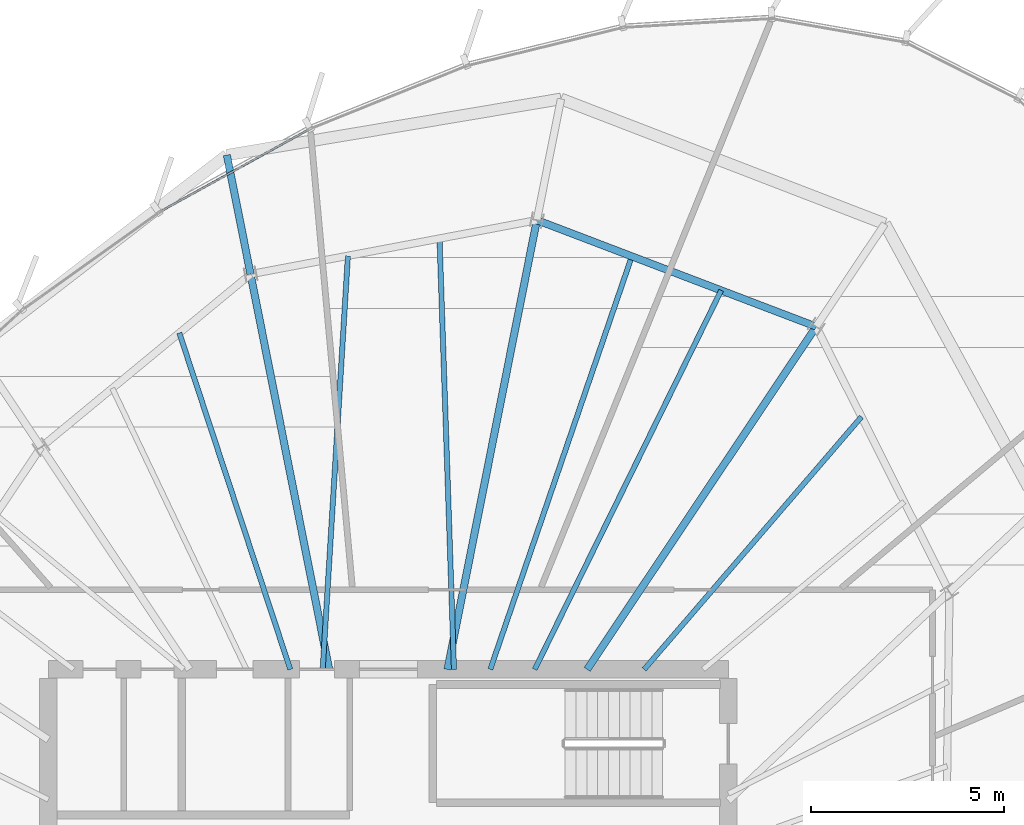
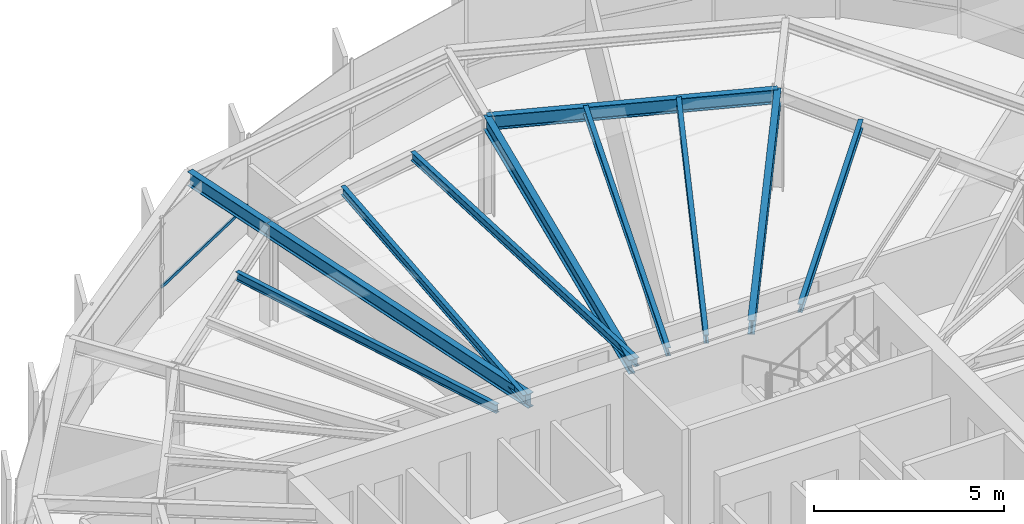
# One storey, part 20 of 32: 11 beams, 1 member, 1 element without a shape of its own.
"""IFC4 building model written with IfcOpenShell, lengths in metres."""

import ifcopenshell
import ifcopenshell.guid

model = None  # the IFC model being written
_history = None  # IfcOwnerHistory: only IFC2X3 demands one
_inside = {}  # id of a spatial element -> (the spatial element, [elements in it])
_under = {}  # id of a project, library or spatial element -> (it, [spatial elements below it])
_declared = {}  # id of a project -> (the project, [libraries it declares])
_typed = {}  # id of a type object -> (the type object, [elements of that type])
_made_of = {}  # id of a material, layer set ... -> (it, [elements and type objects made of it])


def new_model(schema):
    """Start an empty IFC model of exactly this schema.

    Asked for "IFC4X3", IfcOpenShell would pick the latest addendum, in which some entities
    have other attributes; the version numbers below select the first issue.
    IFC2X3 requires an IfcOwnerHistory on every rooted entity: one is made here for all.
    """
    global model, _history
    if schema == "IFC4X3":
        model = ifcopenshell.file(schema_version=(4, 3, 0, 0))
    else:
        model = ifcopenshell.file(schema=schema)
    _inside.clear()
    _under.clear()
    _declared.clear()
    _typed.clear()
    _made_of.clear()
    _history = None
    if model.schema == "IFC2X3":
        org = make("IfcOrganization", Name="unknown")
        user = make(
            "IfcPersonAndOrganization",
            ThePerson=make("IfcPerson", FamilyName="unknown"),
            TheOrganization=org,
        )
        app = make(
            "IfcApplication",
            ApplicationDeveloper=org,
            Version="unknown",
            ApplicationFullName="unknown",
            ApplicationIdentifier="unknown",
        )
        _history = make(
            "IfcOwnerHistory",
            OwningUser=user,
            OwningApplication=app,
            ChangeAction="ADDED",
            CreationDate=0,
        )
    return model


def make(cls, **values):
    """One entity of the class cls with the attributes given. An attribute that is None is left unset."""
    return model.create_entity(
        cls, **{name: value for name, value in values.items() if value is not None}
    )


def rooted(cls, **values):
    """An entity with a GlobalId (a new one), such as an element, a storey or a relation."""
    return make(cls, GlobalId=ifcopenshell.guid.new(), OwnerHistory=_history, **values)


def si_unit(unit_type, name, prefix=None):
    """IfcSIUnit, for example si_unit("LENGTHUNIT", "METRE", prefix="MILLI")."""
    return make("IfcSIUnit", UnitType=unit_type, Prefix=prefix, Name=name)


def assignment(units):
    """IfcUnitAssignment: the units of a project."""
    return None if units is None else make("IfcUnitAssignment", Units=units)


def point(xyz):
    """IfcCartesianPoint."""
    return None if xyz is None else make("IfcCartesianPoint", Coordinates=xyz)


def direction(xyz):
    """IfcDirection."""
    return None if xyz is None else make("IfcDirection", DirectionRatios=xyz)


def frame(location, z_axis=None, x_axis=None):
    """IfcAxis2Placement3D, a coordinate frame: its origin and axes. An axis left out is left unset."""
    return make(
        "IfcAxis2Placement3D",
        Location=point(location),
        Axis=direction(z_axis),
        RefDirection=direction(x_axis),
    )


def frame_2d(location, x_axis=None):
    """IfcAxis2Placement2D, a coordinate frame in the plane: its origin and x axis."""
    return make(
        "IfcAxis2Placement2D", Location=point(location), RefDirection=direction(x_axis)
    )


def origin():
    """The frame at (0, 0, 0) with its axes left unset."""
    return frame((0.0, 0.0, 0.0))


def origin_2d():
    """The frame at (0, 0) in the plane with its x axis left unset."""
    return frame_2d((0.0, 0.0))


def place(relative_to, where):
    """IfcLocalPlacement: puts the frame where relative to a parent placement (None: the world)."""
    return make(
        "IfcLocalPlacement", PlacementRelTo=relative_to, RelativePlacement=where
    )


def context(
    kind, dimensions, precision=None, world=None, true_north=None, identifier=None
):
    """IfcGeometricRepresentationContext, for example the 3D "Model" context."""
    return make(
        "IfcGeometricRepresentationContext",
        ContextIdentifier=identifier,
        ContextType=kind,
        CoordinateSpaceDimension=dimensions,
        Precision=precision,
        WorldCoordinateSystem=world,
        TrueNorth=true_north,
    )


def subcontext(parent, identifier, kind, view, scale=None):
    """IfcGeometricRepresentationSubContext, for example "Body" below "Model"."""
    return make(
        "IfcGeometricRepresentationSubContext",
        ContextIdentifier=identifier,
        ContextType=kind,
        ParentContext=parent,
        TargetScale=scale,
        TargetView=view,
    )


def project(units=None, contexts=None):
    """IfcProject with its units and contexts."""
    return rooted(
        "IfcProject",
        Name="project",
        RepresentationContexts=contexts,
        UnitsInContext=assignment(units),
    )


def spatial(cls, under=None, at=None, **own):
    """A site, building, storey or space (cls), placed at a placement, below another one or the project."""
    s = rooted(cls, ObjectPlacement=at, **own)
    if under is not None:
        _under.setdefault(under.id(), (under, []))[1].append(s)
    return s


def profile(cls, at=None, kind="AREA", **sizes):
    """A parametric profile (cls). Its sizes go by their IFC names, for example OverallWidth=200.0."""
    return make(cls, ProfileType=kind, Position=at, **sizes)


def hollow_rectangle(**sizes):
    """IfcRectangleHollowProfileDef."""
    return profile("IfcRectangleHollowProfileDef", **sizes)


def i_section(**sizes):
    """IfcIShapeProfileDef."""
    return profile("IfcIShapeProfileDef", **sizes)


def extrude(swept, where, along, depth):
    """IfcExtrudedAreaSolid: the profile swept, set in the frame where, extruded along a direction by depth."""
    return make(
        "IfcExtrudedAreaSolid",
        SweptArea=swept,
        Position=where,
        ExtrudedDirection=direction(along),
        Depth=depth,
    )


def shape(context_of_items, identifier, shape_type, items):
    """IfcShapeRepresentation: the items that make up one representation, for example the "Body"."""
    return make(
        "IfcShapeRepresentation",
        ContextOfItems=context_of_items,
        RepresentationIdentifier=identifier,
        RepresentationType=shape_type,
        Items=items,
    )


def source(mapping_origin, context_of_items, identifier, shape_type, items):
    """IfcRepresentationMap: a shape defined once, which mapped items show again and again."""
    return make(
        "IfcRepresentationMap",
        MappingOrigin=mapping_origin,
        MappedRepresentation=shape(context_of_items, identifier, shape_type, items),
    )


def transform(
    local_origin,
    x_axis=None,
    y_axis=None,
    z_axis=None,
    scale=None,
    scale2=None,
    scale3=None,
    uniform=True,
):
    """IfcCartesianTransformationOperator3D, or its non-uniform kind. x_axis, y_axis, z_axis: its Axis1, 2, 3."""
    if uniform:
        return make(
            "IfcCartesianTransformationOperator3D",
            Axis1=direction(x_axis),
            Axis2=direction(y_axis),
            LocalOrigin=point(local_origin),
            Scale=scale,
            Axis3=direction(z_axis),
        )
    return make(
        "IfcCartesianTransformationOperator3DnonUniform",
        Axis1=direction(x_axis),
        Axis2=direction(y_axis),
        LocalOrigin=point(local_origin),
        Scale=scale,
        Axis3=direction(z_axis),
        Scale2=scale2,
        Scale3=scale3,
    )


def mapped(mapping_source, mapping_target):
    """IfcMappedItem: shows the shape of a source again, moved by a transform."""
    return make(
        "IfcMappedItem", MappingSource=mapping_source, MappingTarget=mapping_target
    )


def material(Name=None, Category=None):
    """IfcMaterial."""
    return make("IfcMaterial", Name=Name, Category=Category)


def layer(
    of_material, thickness, ventilated=None, Name=None, Category=None, Priority=None
):
    """IfcMaterialLayer: one layer of a wall or slab, of a material (None: an air gap)."""
    return make(
        "IfcMaterialLayer",
        Material=of_material,
        LayerThickness=thickness,
        IsVentilated=ventilated,
        Name=Name,
        Category=Category,
        Priority=Priority,
    )


def layer_set(layers, Name=None):
    """IfcMaterialLayerSet."""
    return make("IfcMaterialLayerSet", MaterialLayers=layers, LayerSetName=Name)


def material_profile(
    of_material, cross_section, Name=None, Category=None, Priority=None
):
    """IfcMaterialProfile: a cross section and its material."""
    return make(
        "IfcMaterialProfile",
        Name=Name,
        Material=of_material,
        Profile=cross_section,
        Priority=Priority,
        Category=Category,
    )


def profile_set(profiles, Name=None, composite=None):
    """IfcMaterialProfileSet."""
    return make(
        "IfcMaterialProfileSet",
        Name=Name,
        MaterialProfiles=profiles,
        CompositeProfile=composite,
    )


def made_of(thing, what):
    """Note that an element or type object is made of a material, layer set ...; save() writes the relation."""
    if what is not None:
        _made_of.setdefault(what.id(), (what, []))[1].append(thing)
    return thing


def type_object(cls, material=None, **own):
    """A type object (cls), such as IfcWallType, which elements share."""
    return made_of(rooted(cls, **own), material)


def element(
    cls,
    number,
    at=None,
    inside=None,
    cuts=None,
    type_object=None,
    material=None,
    context=None,
    identifier="Body",
    shape_type=None,
    held_by="IfcProductDefinitionShape",
    body=None,
    shapes=None,
    **own,
):
    """One element of the class cls, such as IfcWall. Its Tag is "e" and its number.

    at: its placement. inside: the storey or other place that contains it. cuts: it is an
    opening in that element (IfcRelVoidsElement). A single representation is given by context,
    identifier, shape_type and body (its items); several are given by shapes. held_by: the class
    of the entity that holds the representations. save() writes the other relations.
    """
    e = rooted(cls, Tag="e%d" % number, ObjectPlacement=at, **own)
    if body is not None:
        shapes = [shape(context, identifier, shape_type, body)]
    if shapes is not None:
        e.Representation = make(held_by, Representations=shapes)
    if inside is not None:
        _inside.setdefault(inside.id(), (inside, []))[1].append(e)
    if cuts is not None:
        rooted(
            "IfcRelVoidsElement", RelatingBuildingElement=cuts, RelatedOpeningElement=e
        )
    if type_object is not None:
        _typed.setdefault(type_object.id(), (type_object, []))[1].append(e)
    return made_of(e, material)


def aggregate(whole, parts):
    """IfcRelAggregates: a whole, such as a stair, and the parts it consists of."""
    return rooted("IfcRelAggregates", RelatingObject=whole, RelatedObjects=parts)


def save(model, path):
    """Write the relations noted so far, then the file.

    IfcRelAggregates (storeys below a building ...), IfcRelContainedInSpatialStructure (elements
    in a storey), IfcRelDefinesByType, IfcRelAssociatesMaterial and IfcRelDeclares: one each for
    every whole, place, type object, material and project.
    """
    for whole, parts in _under.values():
        aggregate(whole, parts)
    for where, things in _inside.values():
        rooted(
            "IfcRelContainedInSpatialStructure",
            RelatedElements=things,
            RelatingStructure=where,
        )
    for kind, things in _typed.values():
        rooted("IfcRelDefinesByType", RelatedObjects=things, RelatingType=kind)
    for what, things in _made_of.values():
        rooted("IfcRelAssociatesMaterial", RelatedObjects=things, RelatingMaterial=what)
    for by, libraries in _declared.values():
        rooted("IfcRelDeclares", RelatingContext=by, RelatedDefinitions=libraries)
    model.write(path)


model = new_model("IFC4")

# Units and contexts
model_context = context("Model", 3, precision=1e-05, world=origin(), true_north=direction((0.0, 1.0)))
body_context = subcontext(model_context, "Body", "Model", "MODEL_VIEW")
ifc_project = project(units=[si_unit("LENGTHUNIT", "METRE"), si_unit("AREAUNIT", "SQUARE_METRE"), si_unit("VOLUMEUNIT", "CUBIC_METRE"), si_unit("PLANEANGLEUNIT", "RADIAN"), si_unit("MASSUNIT", "GRAM", prefix="KILO"), si_unit("THERMODYNAMICTEMPERATUREUNIT", "KELVIN")], contexts=[model_context])

# Site, building, storey
site_placement = place(None, origin())
site = spatial("IfcSite", under=ifc_project, at=site_placement, CompositionType="ELEMENT")
building_placement = place(site_placement, origin())
building = spatial("IfcBuilding", under=site, at=building_placement, Name="Kethvar Cultural Tower", CompositionType="ELEMENT")
storey_placement = place(building_placement, frame((0.0, 0.0, 252.550048828125)))
storey = spatial("IfcBuildingStorey", under=building, at=storey_placement, Name="L66", CompositionType="ELEMENT", Elevation=252.550048828125)

# Beams
ifc_material_1 = material(Name="Steel S355J2", Category="steel")
ifc_material_profile_1 = material_profile(ifc_material_1, i_section(OverallWidth=0.18994140625, OverallDepth=0.449951171875, WebThickness=0.009521484375, FlangeThickness=0.0146484375, FilletRadius=0.02099609375, at=origin_2d()), Name="Steel S355J2 — IPE450")
ifc_profile_set_1 = profile_set([ifc_material_profile_1], Name="Steel S355J2 — IPE450")
beam_type_1 = type_object("IfcBeamType", Name="BM-IPE450", PredefinedType="BEAM", material=ifc_profile_set_1)
shared_shape_1 = source(origin(), body_context, "Body", "SweptSolid", [
    extrude(i_section(OverallWidth=0.18994140625, OverallDepth=0.449951171875, WebThickness=0.009521484375, FlangeThickness=0.0146484375, FilletRadius=0.02099609375, at=origin_2d()), origin(), (0.0, 0.0, 1.0), 10.673828125),
])
beam_1_placement = place(storey_placement, frame((51.945068359375, 35.5, 2.98291015625), z_axis=(0.555576086183, 0.831465701314, 0.0), x_axis=(-0.831465701314, 0.555576086183, 0.0)))
element("IfcBeam", 1, at=beam_1_placement, inside=storey, type_object=beam_type_1, Name="L66 Primary Radial Beam RB-03", PredefinedType="BEAM", context=body_context, shape_type="MappedRepresentation", body=[
    mapped(shared_shape_1, transform((0.0, 0.0, 0.0), scale=1.0)),
])
shared_shape_2 = source(origin(), body_context, "Body", "SweptSolid", [
    extrude(i_section(OverallWidth=0.18994140625, OverallDepth=0.449951171875, WebThickness=0.009521484375, FlangeThickness=0.0146484375, FilletRadius=0.02099609375, at=origin_2d()), origin(), (0.0, 0.0, 1.0), 11.859375),
])
beam_2_placement = place(storey_placement, frame((48.33154296875, 35.5, 2.98291015625), z_axis=(0.195094640585, 0.980784421377, 0.0), x_axis=(-0.980784421377, 0.195094640585, 0.0)))
element("IfcBeam", 2, at=beam_2_placement, inside=storey, type_object=beam_type_1, Name="L66 Primary Radial Beam RB-04", PredefinedType="BEAM", context=body_context, shape_type="MappedRepresentation", body=[
    mapped(shared_shape_2, transform((0.0, 0.0, 0.0), scale=1.0)),
])
shared_shape_3 = source(origin(), body_context, "Body", "SweptSolid", [
    extrude(i_section(OverallWidth=0.18994140625, OverallDepth=0.449951171875, WebThickness=0.009521484375, FlangeThickness=0.0146484375, FilletRadius=0.02099609375, at=origin_2d()), origin(), (0.0, 0.0, 1.0), 10.432861328125),
])
beam_3_placement = place(storey_placement, frame((45.268310546875, 35.5, 2.98291015625), z_axis=(-0.195094483249, 0.980784452673, 0.0), x_axis=(-0.980784452673, -0.195094483249, 0.0)))
element("IfcBeam", 3, at=beam_3_placement, inside=storey, type_object=beam_type_1, Name="L66 Primary Radial Beam RB-05", PredefinedType="BEAM", context=body_context, shape_type="MappedRepresentation", body=[
    mapped(shared_shape_3, transform((0.0, 0.0, 0.0), scale=1.0)),
])
ifc_material_profile_2 = material_profile(ifc_material_1, i_section(OverallWidth=0.135009765625, OverallDepth=0.27001953125, WebThickness=0.006591796875, FlangeThickness=0.01025390625, FilletRadius=0.014892578125, at=origin_2d()), Name="Steel S355J2 — IPE270")
ifc_profile_set_2 = profile_set([ifc_material_profile_2], Name="Steel S355J2 — IPE270")
beam_type_2 = type_object("IfcBeamType", Name="BM-J270", PredefinedType="JOIST", material=ifc_profile_set_2)
shared_shape_4 = source(origin(), body_context, "Body", "SweptSolid", [
    extrude(i_section(OverallWidth=0.135009765625, OverallDepth=0.27001953125, WebThickness=0.006591796875, FlangeThickness=0.01025390625, FilletRadius=0.014892578125, at=origin_2d()), origin(), (0.0, 0.0, 1.0), 8.6259765625),
])
beam_4_placement = place(storey_placement, frame((53.42333984375, 35.5, 3.072998046875), z_axis=(0.65210499689, 0.758128665222, 0.0), x_axis=(-0.758128665222, 0.65210499689, 0.0)))
element("IfcBeam", 4, at=beam_4_placement, inside=storey, type_object=beam_type_2, Name="L66 Composite Floor Joist J-02B", PredefinedType="JOIST", context=body_context, shape_type="MappedRepresentation", body=[
    mapped(shared_shape_4, transform((0.0, 0.0, 0.0), scale=1.0)),
])
shared_shape_5 = source(origin(), body_context, "Body", "SweptSolid", [
    extrude(i_section(OverallWidth=0.18994140625, OverallDepth=0.449951171875, WebThickness=0.009521484375, FlangeThickness=0.0146484375, FilletRadius=0.02099609375, at=origin_2d()), origin(), (0.0, 0.0, 1.0), 7.737548828125),
])
beam_5_placement = place(storey_placement, frame((57.875244140625, 44.375, 2.98291015625), z_axis=(-0.934388230776, 0.356256416347, 0.0), x_axis=(-0.356256416347, -0.934388230776, 0.0)))
element("IfcBeam", 5, at=beam_5_placement, inside=storey, type_object=beam_type_1, Name="L66 Column Ring Tie Beam CR-03", PredefinedType="BEAM", context=body_context, shape_type="MappedRepresentation", body=[
    mapped(shared_shape_5, transform((0.0, 0.0, 0.0), scale=1.0)),
])
shared_shape_6 = source(origin(), body_context, "Body", "SweptSolid", [
    extrude(i_section(OverallWidth=0.135009765625, OverallDepth=0.27001953125, WebThickness=0.006591796875, FlangeThickness=0.01025390625, FilletRadius=0.014892578125, at=origin_2d()), origin(), (0.0, 0.0, 1.0), 10.935791015625),
])
beam_6_placement = place(storey_placement, frame((50.5888671875, 35.5, 3.072998046875), z_axis=(0.441498236677, 0.897262117227, 0.0), x_axis=(-0.897262117227, 0.441498236677, 0.0)))
element("IfcBeam", 6, at=beam_6_placement, inside=storey, type_object=beam_type_2, Name="L66 Composite Floor Joist J-03A", PredefinedType="JOIST", context=body_context, shape_type="MappedRepresentation", body=[
    mapped(shared_shape_6, transform((0.0, 0.0, 0.0), scale=1.0)),
])
shared_shape_7 = source(origin(), body_context, "Body", "SweptSolid", [
    extrude(i_section(OverallWidth=0.135009765625, OverallDepth=0.27001953125, WebThickness=0.006591796875, FlangeThickness=0.01025390625, FilletRadius=0.014892578125, at=origin_2d()), origin(), (0.0, 0.0, 1.0), 11.304931640625),
])
beam_7_placement = place(storey_placement, frame((49.438720703125, 35.5, 3.072998046875), z_axis=(0.324179110764, 0.945995720997, 0.0), x_axis=(-0.945995720997, 0.324179110764, 0.0)))
element("IfcBeam", 7, at=beam_7_placement, inside=storey, type_object=beam_type_2, Name="L66 Composite Floor Joist J-03B", PredefinedType="JOIST", context=body_context, shape_type="MappedRepresentation", body=[
    mapped(shared_shape_7, transform((0.0, 0.0, 0.0), scale=1.0)),
])
shared_shape_8 = source(origin(), body_context, "Body", "SweptSolid", [
    extrude(i_section(OverallWidth=0.135009765625, OverallDepth=0.27001953125, WebThickness=0.006591796875, FlangeThickness=0.01025390625, FilletRadius=0.014892578125, at=origin_2d()), origin(), (0.0, 0.0, 1.0), 11.162109375),
])
beam_8_placement = place(storey_placement, frame((48.5, 35.5, 3.072998046875), z_axis=(-0.0335959409, 0.999435497046, 0.0), x_axis=(-0.999435497046, -0.0335959409, 0.0)))
element("IfcBeam", 8, at=beam_8_placement, inside=storey, type_object=beam_type_2, Name="L66 Composite Floor Joist J-04A", PredefinedType="JOIST", context=body_context, shape_type="MappedRepresentation", body=[
    mapped(shared_shape_8, transform((0.0, 0.0, 0.0), scale=1.0)),
])
shared_shape_9 = source(origin(), body_context, "Body", "SweptSolid", [
    extrude(i_section(OverallWidth=0.135009765625, OverallDepth=0.27001953125, WebThickness=0.006591796875, FlangeThickness=0.01025390625, FilletRadius=0.014892578125, at=origin_2d()), origin(), (0.0, 0.0, 1.0), 10.727783203125),
])
beam_9_placement = place(storey_placement, frame((45.10009765625, 35.5, 3.072998046875), z_axis=(0.060876395586, 0.998145312297, 0.0), x_axis=(-0.998145312297, 0.060876395586, 0.0)))
element("IfcBeam", 9, at=beam_9_placement, inside=storey, type_object=beam_type_2, Name="L66 Composite Floor Joist J-04B", PredefinedType="JOIST", context=body_context, shape_type="MappedRepresentation", body=[
    mapped(shared_shape_9, transform((0.0, 0.0, 0.0), scale=1.0)),
])
shared_shape_10 = source(origin(), body_context, "Body", "SweptSolid", [
    extrude(i_section(OverallWidth=0.135009765625, OverallDepth=0.27001953125, WebThickness=0.006591796875, FlangeThickness=0.01025390625, FilletRadius=0.014892578125, at=origin_2d()), origin(), (0.0, 0.0, 1.0), 9.17138671875),
])
beam_10_placement = place(storey_placement, frame((44.260986328125, 35.5, 3.072998046875), z_axis=(-0.313151555446, 0.949703165901, 0.0), x_axis=(-0.949703165901, -0.313151555446, 0.0)))
element("IfcBeam", 10, at=beam_10_placement, inside=storey, type_object=beam_type_2, Name="L66 Composite Floor Joist J-05A", PredefinedType="JOIST", context=body_context, shape_type="MappedRepresentation", body=[
    mapped(shared_shape_10, transform((0.0, 0.0, 0.0), scale=1.0)),
])
shared_shape_11 = source(origin(), body_context, "Body", "SweptSolid", [
    extrude(i_section(OverallWidth=0.18994140625, OverallDepth=0.449951171875, WebThickness=0.009521484375, FlangeThickness=0.0146484375, FilletRadius=0.02099609375, at=origin_2d()), origin(), (0.0, 0.0, 1.0), 3.143798828125),
])
beam_11_placement = place(storey_placement, frame((43.23291015625, 45.732421875, 2.98291015625), z_axis=(-0.195070660955, 0.980789191027, 0.0), x_axis=(-0.980789191027, -0.195070660955, 0.0)))
element("IfcBeam", 11, at=beam_11_placement, inside=storey, type_object=beam_type_1, Name="L66 Perimeter Cantilever Beam RC-05", PredefinedType="BEAM", context=body_context, shape_type="MappedRepresentation", body=[
    mapped(shared_shape_11, transform((0.0, 0.0, 0.0), scale=1.0)),
])

# Curtain wall, member
ifc_material_2 = material(Name="Aluminium 6063-T6", Category="aluminium")
ifc_layer = layer(ifc_material_2, 0.179931640625, Name="Aluminium 6063-T6", Category="aluminium")
ifc_layer_set = layer_set([ifc_layer], Name="Aluminium 6063-T6 (180 mm)")
curtain_wall_type = type_object("IfcCurtainWallType", Name="CW-SYS-05-Z56", PredefinedType="NOTDEFINED", material=ifc_layer_set)
curtain_wall_placement = place(storey_placement, origin())
curtain_wall = element("IfcCurtainWall", 12, at=curtain_wall_placement, inside=storey, type_object=curtain_wall_type, Name="L66 Curtain Wall Run 01", PredefinedType="NOTDEFINED")
ifc_material_profile_3 = material_profile(ifc_material_2, hollow_rectangle(XDim=0.050048828125, YDim=0.10009765625, WallThickness=0.00390625, at=origin_2d()), Name="Aluminium 6063-T6 — RHS100x50x4")
ifc_profile_set_3 = profile_set([ifc_material_profile_3], Name="Aluminium 6063-T6 — RHS100x50x4")
member_type = type_object("IfcMemberType", Name="CW-SYS-05-Z56-TRN", PredefinedType="USERDEFINED", material=ifc_profile_set_3)
shared_shape_12 = source(origin(), body_context, "Body", "SweptSolid", [
    extrude(hollow_rectangle(XDim=0.050048828125, YDim=0.10009765625, WallThickness=0.00390625, at=origin_2d()), origin(), (0.0, 0.0, 1.0), 4.375),
])
member_placement = place(storey_placement, frame((44.74560546875, 49.47998046875, 0.949951171875), z_axis=(-0.875483256016, -0.483248454146, 0.0), x_axis=(0.483248454146, -0.875483256016, 0.0)))
member = element("IfcMember", 13, at=member_placement, type_object=member_type, Name="CW-L66-R01 Transom 6", ObjectType="TRANSOM", PredefinedType="USERDEFINED", context=body_context, shape_type="MappedRepresentation", body=[
    mapped(shared_shape_12, transform((0.0, 0.0, 0.0), scale=1.0)),
])
aggregate(curtain_wall, [member])

save(model, "model.ifc")
